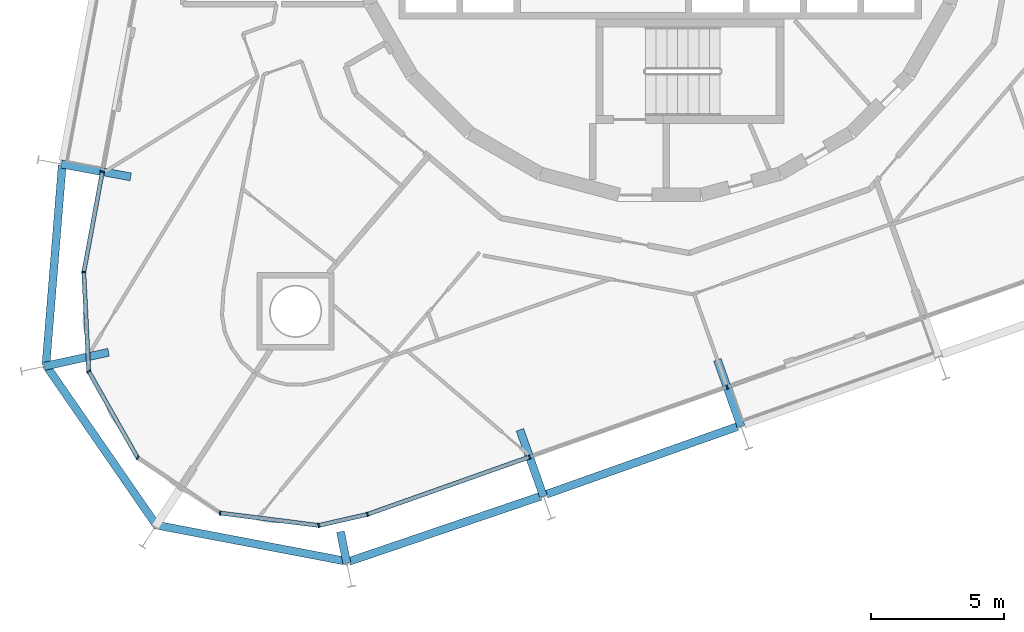
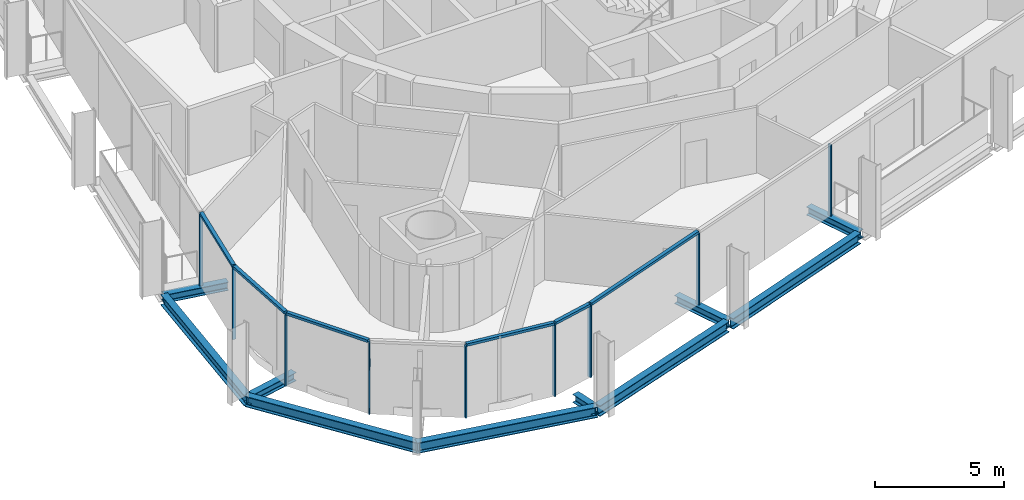
# One storey, part 2 of 17: 15 members, 10 beams, 2 elements without a shape of their own.
"""IFC4 building model written with IfcOpenShell, lengths in metres."""

from ifc_helpers import new_model, si_unit, direction, frame, origin, origin_2d, place, context, subcontext, project, spatial, rectangle, i_section, extrude, material, layer, layer_set, material_profile, profile_set, type_object, element, aggregate, save


model = new_model("IFC4")

# Units and contexts
model_context = context("Model", 3, precision=1e-05, world=origin(), true_north=direction((0.0, 1.0)))
body_context = subcontext(model_context, "Body", "Model", "MODEL_VIEW")
ifc_project = project(units=[si_unit("LENGTHUNIT", "METRE"), si_unit("AREAUNIT", "SQUARE_METRE"), si_unit("VOLUMEUNIT", "CUBIC_METRE"), si_unit("PLANEANGLEUNIT", "RADIAN"), si_unit("MASSUNIT", "GRAM", prefix="KILO")], contexts=[model_context])

# Site, building, storey
site_placement = place(None, origin())
site = spatial("IfcSite", under=ifc_project, at=site_placement, CompositionType="ELEMENT")
building_placement = place(site_placement, origin())
building = spatial("IfcBuilding", under=site, at=building_placement, Name="Spindle Arch Residences", CompositionType="ELEMENT")
storey_placement = place(building_placement, frame((0.0, 0.0, 169.199951171875)))
storey = spatial("IfcBuildingStorey", under=building, at=storey_placement, Name="L42", CompositionType="ELEMENT", Elevation=169.199951171875)

# Curtain wall, members
ifc_material_1 = material(Name="Aluminium bronze unitised frame with tinted glass", Category="aluminium")
ifc_layer_1 = layer(ifc_material_1, 0.159912109375)
ifc_layer_set_1 = layer_set([ifc_layer_1], Name="CW-D corner wall on the fillet arcs")
curtain_wall_type_1 = type_object("IfcCurtainWallType", Name="CW-D corner wall on the fillet arcs", PredefinedType="NOTDEFINED", material=ifc_layer_set_1)
curtain_wall_1_placement = place(storey_placement, origin())
curtain_wall_1 = element("IfcCurtainWall", 1, at=curtain_wall_1_placement, inside=storey, type_object=curtain_wall_type_1, Name="CW-D L42 run 5", PredefinedType="NOTDEFINED")
ifc_material_2 = material(Name="Aluminium bronze anodised mullion", Category="aluminium")
ifc_material_profile_1 = material_profile(ifc_material_2, rectangle(XDim=0.159912109375, YDim=0.06005859375, at=origin_2d()), Name="MU 60x160")
ifc_profile_set_1 = profile_set([ifc_material_profile_1], Name="Aluminium bronze anodised mullion")
member_type_1 = type_object("IfcMemberType", Name="Bronze mullion 60x160", PredefinedType="MULLION", material=ifc_profile_set_1)
member_1_placement = place(storey_placement, frame((-20.92724609375, -10.77685546875, -0.3798828125), z_axis=(0.0, 0.0, 1.0), x_axis=(0.983254907564, -0.182235525492, 0.0)))
member_1 = element("IfcMember", 2, at=member_1_placement, type_object=member_type_1, Name="CW-D mullion 00", PredefinedType="MULLION", context=body_context, shape_type="SweptSolid", body=[
    extrude(rectangle(XDim=0.159912109375, YDim=0.06005859375, at=origin_2d()), origin(), (0.0, 0.0, 1.0), 3.3798828125),
])
member_2_placement = place(storey_placement, frame((-21.6259765625, -14.546142578125, -0.3798828125), z_axis=(0.0, 0.0, 1.0), x_axis=(0.99877754864, 0.049430843939, 0.0)))
member_2 = element("IfcMember", 3, at=member_2_placement, type_object=member_type_1, Name="CW-D mullion 01", PredefinedType="MULLION", context=body_context, shape_type="SweptSolid", body=[
    extrude(rectangle(XDim=0.159912109375, YDim=0.06005859375, at=origin_2d()), origin(), (0.0, 0.0, 1.0), 3.3798828125),
])
member_3_placement = place(storey_placement, frame((-21.441650390625, -18.268310546875, -0.3798828125), z_axis=(0.0, 0.0, 1.0), x_axis=(0.870355694762, 0.492423562185, 0.0)))
member_3 = element("IfcMember", 4, at=member_3_placement, type_object=member_type_1, Name="CW-D mullion 02", PredefinedType="MULLION", context=body_context, shape_type="SweptSolid", body=[
    extrude(rectangle(XDim=0.159912109375, YDim=0.06005859375, at=origin_2d()), origin(), (0.0, 0.0, 1.0), 3.3798828125),
])
member_4_placement = place(storey_placement, frame((-19.6064453125, -21.511962890625, -0.3798828125), z_axis=(0.0, 0.0, 1.0), x_axis=(0.556778968928, 0.830660688705, 0.0)))
member_4 = element("IfcMember", 5, at=member_4_placement, type_object=member_type_1, Name="CW-D mullion 03", PredefinedType="MULLION", context=body_context, shape_type="SweptSolid", body=[
    extrude(rectangle(XDim=0.159912109375, YDim=0.06005859375, at=origin_2d()), origin(), (0.0, 0.0, 1.0), 3.3798828125),
])
member_5_placement = place(storey_placement, frame((-16.510986328125, -23.5869140625, -0.3798828125), z_axis=(0.0, 0.0, 1.0), x_axis=(0.12475602349, 0.992187449327, 0.0)))
member_5 = element("IfcMember", 6, at=member_5_placement, type_object=member_type_1, Name="CW-D mullion 04", PredefinedType="MULLION", context=body_context, shape_type="SweptSolid", body=[
    extrude(rectangle(XDim=0.159912109375, YDim=0.06005859375, at=origin_2d()), origin(), (0.0, 0.0, 1.0), 3.3798828125),
])
member_6_placement = place(storey_placement, frame((-12.813232421875, -24.0517578125, -0.3798828125), z_axis=(0.0, 0.0, 1.0), x_axis=(-0.222115779565, 0.975020297465, 0.0)))
member_6 = element("IfcMember", 7, at=member_6_placement, type_object=member_type_1, Name="CW-D mullion 05", PredefinedType="MULLION", context=body_context, shape_type="SweptSolid", body=[
    extrude(rectangle(XDim=0.159912109375, YDim=0.06005859375, at=origin_2d()), origin(), (0.0, 0.0, 1.0), 3.3798828125),
])
member_7_placement = place(storey_placement, frame((-10.984130859375, -23.63525390625, -0.3798828125), z_axis=(0.0, 0.0, 1.0), x_axis=(-0.333806859234, 0.942641491092, 0.0)))
member_7 = element("IfcMember", 8, at=member_7_placement, type_object=member_type_1, Name="CW-D mullion 06", PredefinedType="MULLION", context=body_context, shape_type="SweptSolid", body=[
    extrude(rectangle(XDim=0.159912109375, YDim=0.06005859375, at=origin_2d()), origin(), (0.0, 0.0, 1.0), 3.3798828125),
])

ifc_material_3 = material(Name="Aluminium bronze unitised frame with tinted glass", Category="aluminium")
ifc_layer_2 = layer(ifc_material_3, 0.159912109375)
ifc_layer_set_2 = layer_set([ifc_layer_2], Name="CW-C typical residential unitised wall")
curtain_wall_type_2 = type_object("IfcCurtainWallType", Name="CW-C typical residential unitised wall", PredefinedType="NOTDEFINED", material=ifc_layer_set_2)
curtain_wall_2_placement = place(storey_placement, origin())
curtain_wall_2 = element("IfcCurtainWall", 9, at=curtain_wall_2_placement, inside=storey, type_object=curtain_wall_type_2, Name="CW-C L42 run 6", PredefinedType="NOTDEFINED")
member_8_placement = place(storey_placement, frame((-4.900634765625, -21.48095703125, -0.3798828125), z_axis=(0.0, 0.0, 1.0), x_axis=(-0.333806859234, 0.942641491092, 0.0)))
member_8 = element("IfcMember", 10, at=member_8_placement, type_object=member_type_1, Name="CW-C mullion 20", PredefinedType="MULLION", context=body_context, shape_type="SweptSolid", body=[
    extrude(rectangle(XDim=0.159912109375, YDim=0.06005859375, at=origin_2d()), origin(), (0.0, 0.0, 1.0), 3.3798828125),
])
member_9_placement = place(storey_placement, frame((2.508544921875, -18.857177734375, -0.3798828125), z_axis=(0.0, 0.0, 1.0), x_axis=(-0.333806859234, 0.942641491092, 0.0)))
member_9 = element("IfcMember", 11, at=member_9_placement, type_object=member_type_1, Name="CW-C mullion 21", PredefinedType="MULLION", context=body_context, shape_type="SweptSolid", body=[
    extrude(rectangle(XDim=0.159912109375, YDim=0.06005859375, at=origin_2d()), origin(), (0.0, 0.0, 1.0), 3.3798828125),
])
aggregate(curtain_wall_2, [member_8, member_9])

# Member
ifc_material_4 = material(Name="Aluminium bronze anodised transom", Category="aluminium")
ifc_material_profile_2 = material_profile(ifc_material_4, rectangle(XDim=0.159912109375, YDim=0.1201171875, at=origin_2d()), Name="TR 120x160")
ifc_profile_set_2 = profile_set([ifc_material_profile_2], Name="Aluminium bronze anodised transom")
member_type_2 = type_object("IfcMemberType", Name="Bronze transom 120x160", PredefinedType="USERDEFINED", material=ifc_profile_set_2)
member_10_placement = place(storey_placement, frame((-20.932861328125, -10.806396484375, 3.06005859375), z_axis=(-0.182198152475, -0.983261833509, 0.0), x_axis=(0.983261833509, -0.182198152475, 0.0)))
member_10 = element("IfcMember", 12, at=member_10_placement, type_object=member_type_2, Name="CW-D transom 00", ObjectType="TRANSOM", PredefinedType="USERDEFINED", context=body_context, shape_type="SweptSolid", body=[
    extrude(rectangle(XDim=0.159912109375, YDim=0.1201171875, at=origin_2d()), origin(), (0.0, 0.0, 1.0), 3.7734375),
])

member_11_placement = place(storey_placement, frame((-21.62451171875, -14.576171875, 3.06005859375), z_axis=(0.049472678643, -0.998775477306, 0.0), x_axis=(0.998775477306, 0.049472678643, 0.0)))
member_11 = element("IfcMember", 13, at=member_11_placement, type_object=member_type_2, Name="CW-D transom 01", ObjectType="TRANSOM", PredefinedType="USERDEFINED", context=body_context, shape_type="SweptSolid", body=[
    extrude(rectangle(XDim=0.159912109375, YDim=0.1201171875, at=origin_2d()), origin(), (0.0, 0.0, 1.0), 3.66650390625),
])

member_12_placement = place(storey_placement, frame((-21.427001953125, -18.29443359375, 3.06005859375), z_axis=(0.49243456751, -0.870349468157, 0.0), x_axis=(0.870349468157, 0.49243456751, 0.0)))
member_12 = element("IfcMember", 14, at=member_12_placement, type_object=member_type_2, Name="CW-D transom 02", ObjectType="TRANSOM", PredefinedType="USERDEFINED", context=body_context, shape_type="SweptSolid", body=[
    extrude(rectangle(XDim=0.159912109375, YDim=0.1201171875, at=origin_2d()), origin(), (0.0, 0.0, 1.0), 3.666748046875),
])

member_13_placement = place(storey_placement, frame((-16.481201171875, -23.590576171875, 3.06005859375), z_axis=(0.992185413992, -0.12477220949, 0.0), x_axis=(0.12477220949, 0.992185413992, 0.0)))
member_13 = element("IfcMember", 15, at=member_13_placement, type_object=member_type_2, Name="CW-D transom 04", ObjectType="TRANSOM", PredefinedType="USERDEFINED", context=body_context, shape_type="SweptSolid", body=[
    extrude(rectangle(XDim=0.159912109375, YDim=0.1201171875, at=origin_2d()), origin(), (0.0, 0.0, 1.0), 3.666748046875),
])

member_14_placement = place(storey_placement, frame((-12.783935546875, -24.045166015625, 3.06005859375), z_axis=(0.975028425033, 0.222080099015, 0.0), x_axis=(-0.222080099015, 0.975028425033, 0.0)))
member_14 = element("IfcMember", 16, at=member_14_placement, type_object=member_type_2, Name="CW-D transom 05", ObjectType="TRANSOM", PredefinedType="USERDEFINED", context=body_context, shape_type="SweptSolid", body=[
    extrude(rectangle(XDim=0.159912109375, YDim=0.1201171875, at=origin_2d()), origin(), (0.0, 0.0, 1.0), 1.816162109375),
])

member_15_placement = place(storey_placement, frame((-10.955810546875, -23.625244140625, 3.06005859375), z_axis=(0.942638740525, 0.333814626495, 0.0), x_axis=(-0.333814626495, 0.942638740525, 0.0)))
member_15 = element("IfcMember", 17, at=member_15_placement, type_object=member_type_2, Name="CW-D transom 06", ObjectType="TRANSOM", PredefinedType="USERDEFINED", context=body_context, shape_type="SweptSolid", body=[
    extrude(rectangle(XDim=0.159912109375, YDim=0.1201171875, at=origin_2d()), origin(), (0.0, 0.0, 1.0), 6.3935546875),
])

aggregate(curtain_wall_1, [member_1, member_10, member_2, member_11, member_3, member_12, member_4, member_5, member_13, member_6, member_14, member_7, member_15])

# Beams
ifc_material_5 = material(Name="Steel S460ML, intumescent coating R 120", Category="steel")
ifc_material_profile_3 = material_profile(ifc_material_5, i_section(OverallWidth=0.300048828125, OverallDepth=0.5, WebThickness=0.014404296875, FlangeThickness=0.028076171875, FilletRadius=0.027099609375, at=origin_2d()), Name="HEB 500")
ifc_profile_set_3 = profile_set([ifc_material_profile_3], Name="Steel S460ML, intumescent coating R 120")
beam_type_1 = type_object("IfcBeamType", Name="Exoskeleton edge beam HEB 500", PredefinedType="BEAM", material=ifc_profile_set_3)
beam_1_placement = place(storey_placement, frame((-22.43408203125, -10.530517578125, -0.6298828125), z_axis=(-0.081396168561, -0.996681826735, 0.0), x_axis=(0.996681826735, -0.081396168561, 0.0)))
element("IfcBeam", 18, at=beam_1_placement, inside=storey, type_object=beam_type_1, Name="Exoskeleton edge beam 17", PredefinedType="BEAM", context=body_context, shape_type="SweptSolid", body=[
    extrude(i_section(OverallWidth=0.300048828125, OverallDepth=0.5, WebThickness=0.014404296875, FlangeThickness=0.028076171875, FilletRadius=0.027099609375, at=origin_2d()), origin(), (0.0, 0.0, 1.0), 7.534423828125),
])
for number, where, z_axis, x_axis, name in (
    (19, (-23.07080078125, -18.006103515625, -0.6298828125), (0.568398589538, -0.822753330842, 0.0), (0.822753330842, 0.568398589538, 0.0), "Exoskeleton edge beam 18"),
    (20, (-18.972900390625, -24.025390625, -0.6298828125), (0.982369437961, -0.186949959509, 0.0), (0.186949959509, 0.982369437961, 0.0), "Exoskeleton edge beam 19"),
):
    element("IfcBeam", number, at=place(storey_placement, frame(where, z_axis=z_axis, x_axis=x_axis)), inside=storey, type_object=beam_type_1, Name=name, PredefinedType="BEAM", context=body_context, shape_type="SweptSolid", body=[
        extrude(i_section(OverallWidth=0.300048828125, OverallDepth=0.5, WebThickness=0.014404296875, FlangeThickness=0.028076171875, FilletRadius=0.027099609375, at=origin_2d()), origin(), (0.0, 0.0, 1.0), 7.4033203125),
    ])
beam_2_placement = place(storey_placement, frame((-11.672119140625, -25.401123046875, -0.6298828125), z_axis=(0.94672748231, 0.322035827571, 0.0), x_axis=(-0.322035827571, 0.94672748231, 0.0)))
element("IfcBeam", 21, at=beam_2_placement, inside=storey, type_object=beam_type_1, Name="Exoskeleton edge beam 20", PredefinedType="BEAM", context=body_context, shape_type="SweptSolid", body=[
    extrude(i_section(OverallWidth=0.300048828125, OverallDepth=0.5, WebThickness=0.014404296875, FlangeThickness=0.028076171875, FilletRadius=0.027099609375, at=origin_2d()), origin(), (0.0, 0.0, 1.0), 7.596435546875),
])
beam_3_placement = place(storey_placement, frame((-4.267333984375, -22.8798828125, -0.6298828125), z_axis=(0.942633964352, 0.33382811333, 0.0), x_axis=(-0.33382811333, 0.942633964352, 0.0)))
element("IfcBeam", 22, at=beam_3_placement, inside=storey, type_object=beam_type_1, Name="Exoskeleton edge beam 21", PredefinedType="BEAM", context=body_context, shape_type="SweptSolid", body=[
    extrude(i_section(OverallWidth=0.300048828125, OverallDepth=0.5, WebThickness=0.014404296875, FlangeThickness=0.028076171875, FilletRadius=0.027099609375, at=origin_2d()), origin(), (0.0, 0.0, 1.0), 7.60009765625),
])
ifc_material_6 = material(Name="Steel S460ML, intumescent coating R 120", Category="steel")
ifc_material_profile_4 = material_profile(ifc_material_6, i_section(OverallWidth=0.300048828125, OverallDepth=0.389892578125, WebThickness=0.010986328125, FlangeThickness=0.01904296875, FilletRadius=0.027099609375, at=origin_2d()), Name="HEA 400")
ifc_profile_set_4 = profile_set([ifc_material_profile_4], Name="Steel S460ML, intumescent coating R 120")
beam_type_2 = type_object("IfcBeamType", Name="Floor outrigger HEA 400", PredefinedType="BEAM", material=ifc_profile_set_4)
beam_4_placement = place(storey_placement, frame((-22.470947265625, -10.49072265625, -0.574951171875), z_axis=(0.983253888741, -0.182241022482, 0.0), x_axis=(0.182241022482, 0.983253888741, 0.0)))
element("IfcBeam", 23, at=beam_4_placement, inside=storey, type_object=beam_type_2, Name="Floor outrigger 17", PredefinedType="BEAM", context=body_context, shape_type="SweptSolid", body=[
    extrude(i_section(OverallWidth=0.300048828125, OverallDepth=0.389892578125, WebThickness=0.010986328125, FlangeThickness=0.01904296875, FilletRadius=0.027099609375, at=origin_2d()), origin(), (0.0, 0.0, 1.0), 2.64990234375),
])
beam_5_placement = place(storey_placement, frame((-23.108154296875, -18.081298828125, -0.574951171875), z_axis=(0.976889051541, 0.21374700227, 0.0), x_axis=(-0.21374700227, 0.976889051541, 0.0)))
element("IfcBeam", 24, at=beam_5_placement, inside=storey, type_object=beam_type_2, Name="Floor outrigger 18", PredefinedType="BEAM", context=body_context, shape_type="SweptSolid", body=[
    extrude(i_section(OverallWidth=0.300048828125, OverallDepth=0.389892578125, WebThickness=0.010986328125, FlangeThickness=0.01904296875, FilletRadius=0.027099609375, at=origin_2d()), origin(), (0.0, 0.0, 1.0), 2.469482421875),
])
beam_6_placement = place(storey_placement, frame((-11.75390625, -25.47412109375, -0.574951171875), z_axis=(-0.199668771983, 0.979863450433, 0.0), x_axis=(-0.979863450433, -0.199668771983, 0.0)))
element("IfcBeam", 25, at=beam_6_placement, inside=storey, type_object=beam_type_2, Name="Floor outrigger 20", PredefinedType="BEAM", context=body_context, shape_type="SweptSolid", body=[
    extrude(i_section(OverallWidth=0.300048828125, OverallDepth=0.389892578125, WebThickness=0.010986328125, FlangeThickness=0.01904296875, FilletRadius=0.027099609375, at=origin_2d()), origin(), (0.0, 0.0, 1.0), 1.21533203125),
])
beam_7_placement = place(storey_placement, frame((-4.376708984375, -22.9609375, -0.574951171875), z_axis=(-0.333778924893, 0.942651382695, 0.0), x_axis=(-0.942651382695, -0.333778924893, 0.0)))
element("IfcBeam", 26, at=beam_7_placement, inside=storey, type_object=beam_type_2, Name="Floor outrigger 21", PredefinedType="BEAM", context=body_context, shape_type="SweptSolid", body=[
    extrude(i_section(OverallWidth=0.300048828125, OverallDepth=0.389892578125, WebThickness=0.010986328125, FlangeThickness=0.01904296875, FilletRadius=0.027099609375, at=origin_2d()), origin(), (0.0, 0.0, 1.0), 2.64990234375),
])
beam_8_placement = place(storey_placement, frame((3.03271484375, -20.337158203125, -0.574951171875), z_axis=(-0.333860785086, 0.942622393211, 0.0), x_axis=(-0.942622393211, -0.333860785086, 0.0)))
element("IfcBeam", 27, at=beam_8_placement, inside=storey, type_object=beam_type_2, Name="Floor outrigger 22", PredefinedType="BEAM", context=body_context, shape_type="SweptSolid", body=[
    extrude(i_section(OverallWidth=0.300048828125, OverallDepth=0.389892578125, WebThickness=0.010986328125, FlangeThickness=0.01904296875, FilletRadius=0.027099609375, at=origin_2d()), origin(), (0.0, 0.0, 1.0), 2.650146484375),
])

save(model, "model.ifc")
